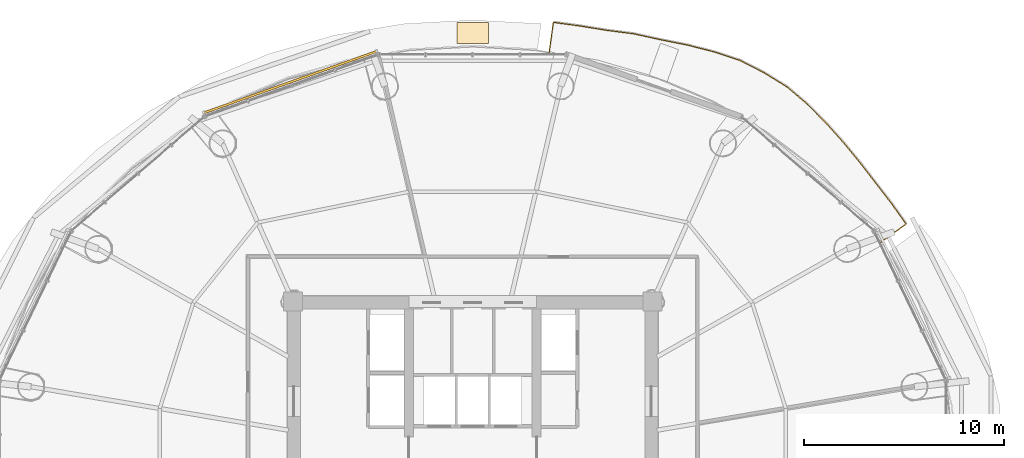
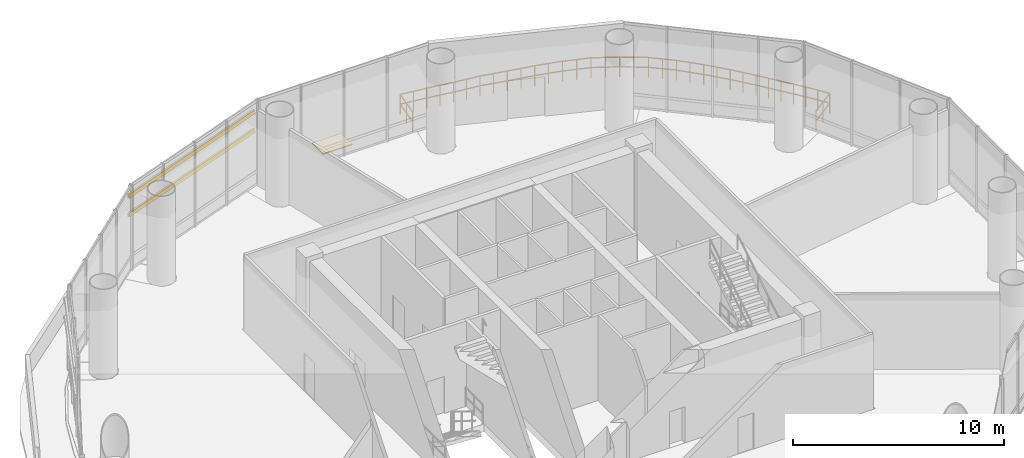
# One storey, part 29 of 29: 2 shading devices, 1 covering, 1 railing.
"""IFC4 building model written with IfcOpenShell, lengths in metres."""

from ifc_helpers import new_model, si_unit, direction, frame, origin, origin_2d, place, context, subcontext, project, spatial, rectangle, hollow_rectangle, extrude, source, transform, mapped, material, layer, layer_set, material_profile, profile_set, type_object, element, save


model = new_model("IFC4")

# Units and contexts
model_context = context("Model", 3, precision=1e-05, world=origin(), true_north=direction((-0.2419218956, 0.970295726276)))
body_context = subcontext(model_context, "Body", "Model", "MODEL_VIEW")
ifc_project = project(units=[si_unit("LENGTHUNIT", "METRE"), si_unit("AREAUNIT", "SQUARE_METRE"), si_unit("VOLUMEUNIT", "CUBIC_METRE"), si_unit("PLANEANGLEUNIT", "RADIAN"), si_unit("MASSUNIT", "GRAM", prefix="KILO")], contexts=[model_context])

# Site, building, storey
site_placement = place(None, origin())
site = spatial("IfcSite", under=ifc_project, at=site_placement, CompositionType="ELEMENT")
building_placement = place(site_placement, origin())
building = spatial("IfcBuilding", under=site, at=building_placement, Name="Cobrevalo Terracotta Tower", CompositionType="ELEMENT")
storey_placement = place(building_placement, frame((0.0, 0.0, 130.199951171875)))
storey = spatial("IfcBuildingStorey", under=building, at=storey_placement, Name="L34", CompositionType="ELEMENT", Elevation=130.199951171875)

# Railing
ifc_material_1 = material(Name="Laminated structural glass and stainless steel", Category="steel")
railing_type = type_object("IfcRailingType", Name="Balcony lobe structural glass & terracotta-cap balustrade 1180 mm", PredefinedType="BALUSTRADE", material=ifc_material_1)
railing_placement = place(storey_placement, frame((58.41650390625, 37.751708984375, 0.0)))
element("IfcRailing", 1, at=railing_placement, inside=storey, type_object=railing_type, Name="L34 spiralling balcony lobe balustrade 1", PredefinedType="BALUSTRADE", context=body_context, shape_type="SweptSolid", body=[
    extrude(rectangle(XDim=0.048095703125, YDim=0.048095703125, at=origin_2d()), frame((0.0, 0.0, 1.15576171875), z_axis=(0.809367380782, 0.587302684249, 0.0), x_axis=(-0.587302684249, 0.809367380782, 0.0)), (0.0, 0.0, 1.0), 1.587646484375),
    extrude(rectangle(XDim=0.048095703125, YDim=0.048095703125, at=origin_2d()), frame((0.0, 0.0, 0.58984375), z_axis=(0.809367380782, 0.587302684249, 0.0), x_axis=(-0.587302684249, 0.809367380782, 0.0)), (0.0, 0.0, 1.0), 1.587646484375),
    extrude(rectangle(XDim=0.048095703125, YDim=0.048095703125, at=origin_2d()), frame((1.284912109375, 0.932373046875, 1.15576171875), z_axis=(-0.578233321445, 0.815871451867, 0.0), x_axis=(-0.815871451867, -0.578233321445, 0.0)), (0.0, 0.0, 1.0), 1.25439453125),
    extrude(rectangle(XDim=0.048095703125, YDim=0.048095703125, at=origin_2d()), frame((1.284912109375, 0.932373046875, 0.58984375), z_axis=(-0.578233321445, 0.815871451867, 0.0), x_axis=(-0.815871451867, -0.578233321445, 0.0)), (0.0, 0.0, 1.0), 1.25439453125),
    extrude(rectangle(XDim=0.048095703125, YDim=0.048095703125, at=origin_2d()), frame((0.5595703125, 1.955810546875, 1.15576171875), z_axis=(-0.611359174352, 0.791353245988, 0.0), x_axis=(-0.791353245988, -0.611359174352, 0.0)), (0.0, 0.0, 1.0), 1.2587890625),
    extrude(rectangle(XDim=0.048095703125, YDim=0.048095703125, at=origin_2d()), frame((0.5595703125, 1.955810546875, 0.58984375), z_axis=(-0.611359174352, 0.791353245988, 0.0), x_axis=(-0.791353245988, -0.611359174352, 0.0)), (0.0, 0.0, 1.0), 1.2587890625),
    extrude(rectangle(XDim=0.048095703125, YDim=0.048095703125, at=origin_2d()), frame((-0.2099609375, 2.951904296875, 1.15576171875), z_axis=(-0.610040110347, 0.792370534389, 0.0), x_axis=(-0.792370534389, -0.610040110347, 0.0)), (0.0, 0.0, 1.0), 1.28955078125),
    extrude(rectangle(XDim=0.048095703125, YDim=0.048095703125, at=origin_2d()), frame((-0.2099609375, 2.951904296875, 0.58984375), z_axis=(-0.610040110347, 0.792370534389, 0.0), x_axis=(-0.792370534389, -0.610040110347, 0.0)), (0.0, 0.0, 1.0), 1.28955078125),
    extrude(rectangle(XDim=0.048095703125, YDim=0.048095703125, at=origin_2d()), frame((-0.99658203125, 3.9736328125, 1.15576171875), z_axis=(-0.634923621366, 0.772574912245, 0.0), x_axis=(-0.772574912245, -0.634923621366, 0.0)), (0.0, 0.0, 1.0), 1.300048828125),
    extrude(rectangle(XDim=0.048095703125, YDim=0.048095703125, at=origin_2d()), frame((-0.99658203125, 3.9736328125, 0.58984375), z_axis=(-0.634923621366, 0.772574912245, 0.0), x_axis=(-0.772574912245, -0.634923621366, 0.0)), (0.0, 0.0, 1.0), 1.300048828125),
    extrude(rectangle(XDim=0.048095703125, YDim=0.048095703125, at=origin_2d()), frame((-1.822021484375, 4.97802734375, 1.15576171875), z_axis=(-0.663895313827, 0.747825522617, 0.0), x_axis=(-0.747825522617, -0.663895313827, 0.0)), (0.0, 0.0, 1.0), 1.326416015625),
    extrude(rectangle(XDim=0.048095703125, YDim=0.048095703125, at=origin_2d()), frame((-1.822021484375, 4.97802734375, 0.58984375), z_axis=(-0.663895313827, 0.747825522617, 0.0), x_axis=(-0.747825522617, -0.663895313827, 0.0)), (0.0, 0.0, 1.0), 1.326416015625),
    extrude(rectangle(XDim=0.048095703125, YDim=0.048095703125, at=origin_2d()), frame((-2.70263671875, 5.969970703125, 1.15576171875), z_axis=(-0.703553776685, 0.710642021916, 0.0), x_axis=(-0.710642021916, -0.703553776685, 0.0)), (0.0, 0.0, 1.0), 1.34326171875),
    extrude(rectangle(XDim=0.048095703125, YDim=0.048095703125, at=origin_2d()), frame((-2.70263671875, 5.969970703125, 0.58984375), z_axis=(-0.703553776685, 0.710642021916, 0.0), x_axis=(-0.710642021916, -0.703553776685, 0.0)), (0.0, 0.0, 1.0), 1.34326171875),
    extrude(rectangle(XDim=0.048095703125, YDim=0.048095703125, at=origin_2d()), frame((-3.647705078125, 6.924560546875, 1.15576171875), z_axis=(-0.761514665944, 0.648147678814, 0.0), x_axis=(-0.648147678814, -0.761514665944, 0.0)), (0.0, 0.0, 1.0), 1.34814453125),
    extrude(rectangle(XDim=0.048095703125, YDim=0.048095703125, at=origin_2d()), frame((-3.647705078125, 6.924560546875, 0.58984375), z_axis=(-0.761514665944, 0.648147678814, 0.0), x_axis=(-0.648147678814, -0.761514665944, 0.0)), (0.0, 0.0, 1.0), 1.34814453125),
    extrude(rectangle(XDim=0.048095703125, YDim=0.048095703125, at=origin_2d()), frame((-4.67431640625, 7.79833984375, 1.15576171875), z_axis=(-0.851658316705, 0.524097425664, 0.0), x_axis=(-0.524097425664, -0.851658316705, 0.0)), (0.0, 0.0, 1.0), 1.360107421875),
    extrude(rectangle(XDim=0.048095703125, YDim=0.048095703125, at=origin_2d()), frame((-4.67431640625, 7.79833984375, 0.58984375), z_axis=(-0.851658316705, 0.524097425664, 0.0), x_axis=(-0.524097425664, -0.851658316705, 0.0)), (0.0, 0.0, 1.0), 1.360107421875),
    extrude(rectangle(XDim=0.048095703125, YDim=0.048095703125, at=origin_2d()), frame((-5.832763671875, 8.51123046875, 1.15576171875), z_axis=(-0.889813718969, 0.456323948018, 0.0), x_axis=(-0.456323948018, -0.889813718969, 0.0)), (0.0, 0.0, 1.0), 1.35791015625),
    extrude(rectangle(XDim=0.048095703125, YDim=0.048095703125, at=origin_2d()), frame((-5.832763671875, 8.51123046875, 0.58984375), z_axis=(-0.889813718969, 0.456323948018, 0.0), x_axis=(-0.456323948018, -0.889813718969, 0.0)), (0.0, 0.0, 1.0), 1.35791015625),
    extrude(rectangle(XDim=0.048095703125, YDim=0.048095703125, at=origin_2d()), frame((-7.041015625, 9.130859375, 1.15576171875), z_axis=(-0.950632133368, 0.310320071873, 0.0), x_axis=(-0.310320071873, -0.950632133368, 0.0)), (0.0, 0.0, 1.0), 1.377685546875),
    extrude(rectangle(XDim=0.048095703125, YDim=0.048095703125, at=origin_2d()), frame((-7.041015625, 9.130859375, 0.58984375), z_axis=(-0.950632133368, 0.310320071873, 0.0), x_axis=(-0.310320071873, -0.950632133368, 0.0)), (0.0, 0.0, 1.0), 1.377685546875),
    extrude(rectangle(XDim=0.048095703125, YDim=0.048095703125, at=origin_2d()), frame((-8.3505859375, 9.558349609375, 1.15576171875), z_axis=(-0.968673720881, 0.248336913233, 0.0), x_axis=(-0.248336913233, -0.968673720881, 0.0)), (0.0, 0.0, 1.0), 1.375244140625),
    extrude(rectangle(XDim=0.048095703125, YDim=0.048095703125, at=origin_2d()), frame((-8.3505859375, 9.558349609375, 0.58984375), z_axis=(-0.968673720881, 0.248336913233, 0.0), x_axis=(-0.248336913233, -0.968673720881, 0.0)), (0.0, 0.0, 1.0), 1.375244140625),
    extrude(rectangle(XDim=0.048095703125, YDim=0.048095703125, at=origin_2d()), frame((-9.682861328125, 9.89990234375, 1.15576171875), z_axis=(-0.981010254871, 0.193955870852, 0.0), x_axis=(-0.193955870852, -0.981010254871, 0.0)), (0.0, 0.0, 1.0), 1.36962890625),
    extrude(rectangle(XDim=0.048095703125, YDim=0.048095703125, at=origin_2d()), frame((-9.682861328125, 9.89990234375, 0.58984375), z_axis=(-0.981010254871, 0.193955870852, 0.0), x_axis=(-0.193955870852, -0.981010254871, 0.0)), (0.0, 0.0, 1.0), 1.36962890625),
    extrude(rectangle(XDim=0.048095703125, YDim=0.048095703125, at=origin_2d()), frame((-11.0263671875, 10.16552734375, 1.15576171875), z_axis=(-0.976460501717, 0.215696287838, 0.0), x_axis=(-0.215696287838, -0.976460501717, 0.0)), (0.0, 0.0, 1.0), 1.361572265625),
    extrude(rectangle(XDim=0.048095703125, YDim=0.048095703125, at=origin_2d()), frame((-11.0263671875, 10.16552734375, 0.58984375), z_axis=(-0.976460501717, 0.215696287838, 0.0), x_axis=(-0.215696287838, -0.976460501717, 0.0)), (0.0, 0.0, 1.0), 1.361572265625),
    extrude(rectangle(XDim=0.048095703125, YDim=0.048095703125, at=origin_2d()), frame((-12.35595703125, 10.459228515625, 1.15576171875), z_axis=(-0.99183804653, 0.127504076233, 0.0), x_axis=(-0.127504076233, -0.99183804653, 0.0)), (0.0, 0.0, 1.0), 1.359375),
    extrude(rectangle(XDim=0.048095703125, YDim=0.048095703125, at=origin_2d()), frame((-12.35595703125, 10.459228515625, 0.58984375), z_axis=(-0.99183804653, 0.127504076233, 0.0), x_axis=(-0.127504076233, -0.99183804653, 0.0)), (0.0, 0.0, 1.0), 1.359375),
    extrude(rectangle(XDim=0.048095703125, YDim=0.048095703125, at=origin_2d()), frame((-13.704345703125, 10.632568359375, 1.15576171875), z_axis=(-0.987063083074, 0.160332373626, 0.0), x_axis=(-0.160332373626, -0.987063083074, 0.0)), (0.0, 0.0, 1.0), 1.353759765625),
    extrude(rectangle(XDim=0.048095703125, YDim=0.048095703125, at=origin_2d()), frame((-13.704345703125, 10.632568359375, 0.58984375), z_axis=(-0.987063083074, 0.160332373626, 0.0), x_axis=(-0.160332373626, -0.987063083074, 0.0)), (0.0, 0.0, 1.0), 1.353759765625),
    extrude(rectangle(XDim=0.048095703125, YDim=0.048095703125, at=origin_2d()), frame((-15.04052734375, 10.849609375, 1.15576171875), z_axis=(-0.990945115843, 0.134267558949, 0.0), x_axis=(-0.134267558949, -0.990945115843, 0.0)), (0.0, 0.0, 1.0), 1.352783203125),
    extrude(rectangle(XDim=0.048095703125, YDim=0.048095703125, at=origin_2d()), frame((-15.04052734375, 10.849609375, 0.58984375), z_axis=(-0.990945115843, 0.134267558949, 0.0), x_axis=(-0.134267558949, -0.990945115843, 0.0)), (0.0, 0.0, 1.0), 1.352783203125),
    extrude(rectangle(XDim=0.048095703125, YDim=0.048095703125, at=origin_2d()), frame((-16.381103515625, 11.03125, 1.15576171875), z_axis=(-0.136898821021, -0.990585035624, 0.0), x_axis=(0.990585035624, -0.136898821021, 0.0)), (0.0, 0.0, 1.0), 1.580078125),
    extrude(rectangle(XDim=0.048095703125, YDim=0.048095703125, at=origin_2d()), frame((-16.381103515625, 11.03125, 0.58984375), z_axis=(-0.136898821021, -0.990585035624, 0.0), x_axis=(0.990585035624, -0.136898821021, 0.0)), (0.0, 0.0, 1.0), 1.580078125),
    extrude(rectangle(XDim=0.0419921875, YDim=0.0419921875, at=origin_2d()), origin(), (0.0, 0.0, 1.0), 1.1318359375),
    extrude(rectangle(XDim=0.0419921875, YDim=0.0419921875, at=origin_2d()), frame((0.642578125, 0.46630859375, 0.0)), (0.0, 0.0, 1.0), 1.1318359375),
    extrude(rectangle(XDim=0.0419921875, YDim=0.0419921875, at=origin_2d()), frame((1.284912109375, 0.932373046875, 0.0)), (0.0, 0.0, 1.0), 1.1318359375),
    extrude(rectangle(XDim=0.0419921875, YDim=0.0419921875, at=origin_2d()), frame((0.92236328125, 1.444091796875, 0.0)), (0.0, 0.0, 1.0), 1.1318359375),
    extrude(rectangle(XDim=0.0419921875, YDim=0.0419921875, at=origin_2d()), frame((0.5595703125, 1.955810546875, 0.0)), (0.0, 0.0, 1.0), 1.1318359375),
    extrude(rectangle(XDim=0.0419921875, YDim=0.0419921875, at=origin_2d()), frame((0.1748046875, 2.453857421875, 0.0)), (0.0, 0.0, 1.0), 1.1318359375),
    extrude(rectangle(XDim=0.0419921875, YDim=0.0419921875, at=origin_2d()), frame((-0.2099609375, 2.951904296875, 0.0)), (0.0, 0.0, 1.0), 1.1318359375),
    extrude(rectangle(XDim=0.0419921875, YDim=0.0419921875, at=origin_2d()), frame((-0.603271484375, 3.462890625, 0.0)), (0.0, 0.0, 1.0), 1.1318359375),
    extrude(rectangle(XDim=0.0419921875, YDim=0.0419921875, at=origin_2d()), frame((-0.99658203125, 3.9736328125, 0.0)), (0.0, 0.0, 1.0), 1.1318359375),
    extrude(rectangle(XDim=0.0419921875, YDim=0.0419921875, at=origin_2d()), frame((-1.4091796875, 4.475830078125, 0.0)), (0.0, 0.0, 1.0), 1.1318359375),
    extrude(rectangle(XDim=0.0419921875, YDim=0.0419921875, at=origin_2d()), frame((-1.822021484375, 4.97802734375, 0.0)), (0.0, 0.0, 1.0), 1.1318359375),
    extrude(rectangle(XDim=0.0419921875, YDim=0.0419921875, at=origin_2d()), frame((-2.26220703125, 5.47412109375, 0.0)), (0.0, 0.0, 1.0), 1.1318359375),
    extrude(rectangle(XDim=0.0419921875, YDim=0.0419921875, at=origin_2d()), frame((-2.70263671875, 5.969970703125, 0.0)), (0.0, 0.0, 1.0), 1.1318359375),
    extrude(rectangle(XDim=0.0419921875, YDim=0.0419921875, at=origin_2d()), frame((-3.17529296875, 6.447265625, 0.0)), (0.0, 0.0, 1.0), 1.1318359375),
    extrude(rectangle(XDim=0.0419921875, YDim=0.0419921875, at=origin_2d()), frame((-3.647705078125, 6.924560546875, 0.0)), (0.0, 0.0, 1.0), 1.1318359375),
    extrude(rectangle(XDim=0.0419921875, YDim=0.0419921875, at=origin_2d()), frame((-4.1611328125, 7.361328125, 0.0)), (0.0, 0.0, 1.0), 1.1318359375),
    extrude(rectangle(XDim=0.0419921875, YDim=0.0419921875, at=origin_2d()), frame((-4.67431640625, 7.79833984375, 0.0)), (0.0, 0.0, 1.0), 1.1318359375),
    extrude(rectangle(XDim=0.0419921875, YDim=0.0419921875, at=origin_2d()), frame((-5.25341796875, 8.15478515625, 0.0)), (0.0, 0.0, 1.0), 1.1318359375),
    extrude(rectangle(XDim=0.0419921875, YDim=0.0419921875, at=origin_2d()), frame((-5.832763671875, 8.51123046875, 0.0)), (0.0, 0.0, 1.0), 1.1318359375),
    extrude(rectangle(XDim=0.0419921875, YDim=0.0419921875, at=origin_2d()), frame((-6.43701171875, 8.821044921875, 0.0)), (0.0, 0.0, 1.0), 1.1318359375),
    extrude(rectangle(XDim=0.0419921875, YDim=0.0419921875, at=origin_2d()), frame((-7.041015625, 9.130859375, 0.0)), (0.0, 0.0, 1.0), 1.1318359375),
    extrude(rectangle(XDim=0.0419921875, YDim=0.0419921875, at=origin_2d()), frame((-7.69580078125, 9.3447265625, 0.0)), (0.0, 0.0, 1.0), 1.1318359375),
    extrude(rectangle(XDim=0.0419921875, YDim=0.0419921875, at=origin_2d()), frame((-8.3505859375, 9.558349609375, 0.0)), (0.0, 0.0, 1.0), 1.1318359375),
    extrude(rectangle(XDim=0.0419921875, YDim=0.0419921875, at=origin_2d()), frame((-9.0166015625, 9.72900390625, 0.0)), (0.0, 0.0, 1.0), 1.1318359375),
    extrude(rectangle(XDim=0.0419921875, YDim=0.0419921875, at=origin_2d()), frame((-9.682861328125, 9.89990234375, 0.0)), (0.0, 0.0, 1.0), 1.1318359375),
    extrude(rectangle(XDim=0.0419921875, YDim=0.0419921875, at=origin_2d()), frame((-10.3544921875, 10.03271484375, 0.0)), (0.0, 0.0, 1.0), 1.1318359375),
    extrude(rectangle(XDim=0.0419921875, YDim=0.0419921875, at=origin_2d()), frame((-11.0263671875, 10.16552734375, 0.0)), (0.0, 0.0, 1.0), 1.1318359375),
    extrude(rectangle(XDim=0.0419921875, YDim=0.0419921875, at=origin_2d()), frame((-11.691162109375, 10.3125, 0.0)), (0.0, 0.0, 1.0), 1.1318359375),
    extrude(rectangle(XDim=0.0419921875, YDim=0.0419921875, at=origin_2d()), frame((-12.35595703125, 10.459228515625, 0.0)), (0.0, 0.0, 1.0), 1.1318359375),
    extrude(rectangle(XDim=0.0419921875, YDim=0.0419921875, at=origin_2d()), frame((-13.0302734375, 10.5458984375, 0.0)), (0.0, 0.0, 1.0), 1.1318359375),
    extrude(rectangle(XDim=0.0419921875, YDim=0.0419921875, at=origin_2d()), frame((-13.704345703125, 10.632568359375, 0.0)), (0.0, 0.0, 1.0), 1.1318359375),
    extrude(rectangle(XDim=0.0419921875, YDim=0.0419921875, at=origin_2d()), frame((-14.37255859375, 10.7412109375, 0.0)), (0.0, 0.0, 1.0), 1.1318359375),
    extrude(rectangle(XDim=0.0419921875, YDim=0.0419921875, at=origin_2d()), frame((-15.04052734375, 10.849609375, 0.0)), (0.0, 0.0, 1.0), 1.1318359375),
    extrude(rectangle(XDim=0.0419921875, YDim=0.0419921875, at=origin_2d()), frame((-15.7109375, 10.9404296875, 0.0)), (0.0, 0.0, 1.0), 1.1318359375),
    extrude(rectangle(XDim=0.0419921875, YDim=0.0419921875, at=origin_2d()), frame((-16.381103515625, 11.03125, 0.0)), (0.0, 0.0, 1.0), 1.1318359375),
    extrude(rectangle(XDim=0.0419921875, YDim=0.0419921875, at=origin_2d()), frame((-16.4892578125, 10.24853515625, 0.0)), (0.0, 0.0, 1.0), 1.1318359375),
    extrude(rectangle(XDim=0.0419921875, YDim=0.0419921875, at=origin_2d()), frame((-16.597412109375, 9.466064453125, 0.0)), (0.0, 0.0, 1.0), 1.1318359375),
])

# Shading devices
ifc_material_2 = material(Name="Extruded fired architectural terracotta", Category="masonry")
ifc_material_profile = material_profile(ifc_material_2, hollow_rectangle(XDim=0.110107421875, YDim=0.239990234375, WallThickness=0.01806640625, at=origin_2d()), Name="BAGUETTE 110x240")
ifc_profile_set = profile_set([ifc_material_profile], Name="Extruded fired architectural terracotta")
shading_device_type = type_object("IfcShadingDeviceType", Name="Horizontal Terracotta Baguette Screen 110x240", PredefinedType="USERDEFINED", material=ifc_profile_set)
shared_shape_1 = source(origin(), body_context, "Body", "SweptSolid", [
    extrude(hollow_rectangle(XDim=0.110107421875, YDim=0.239990234375, WallThickness=0.01806640625, at=origin_2d()), origin(), (0.0, 0.0, 1.0), 9.168212890625),
])
for number, where, z_axis, x_axis, name in (
    (2, (33.1865234375, 47.3271484375, 3.056640625), (-0.942098639375, -0.335335881897, 0.0), (0.335335881897, -0.942098639375, 0.0), "CW-SK-L34-S05 horizontal terracotta baguette 1"),
    (3, (33.1865234375, 47.3271484375, 4.141357421875), (-0.942098639375, -0.335335881897, 0.0), (0.335335881897, -0.942098639375, 0.0), "CW-SK-L34-S05 horizontal terracotta baguette 2"),
):
    element("IfcShadingDevice", number, at=place(storey_placement, frame(where, z_axis=z_axis, x_axis=x_axis)), inside=storey, type_object=shading_device_type, Name=name, ObjectType="BAGUETTE", PredefinedType="USERDEFINED", context=body_context, shape_type="MappedRepresentation", body=[
        mapped(shared_shape_1, transform((0.0, 0.0, 0.0), scale=1.0)),
    ])

# Covering
ifc_material_3 = material(Name="Insulated TPO roof waterproofing membrane", Category="bitumen")
ifc_layer = layer(ifc_material_3, 0.06005859375)
ifc_layer_set = layer_set([ifc_layer], Name="Insulated TPO roof waterproofing membrane")
covering_type = type_object("IfcCoveringType", Name="Insulated UV-reflective waterproof roof membrane 60 mm", PredefinedType="ROOFING", material=ifc_layer_set)
shared_shape_2 = source(origin(), body_context, "Body", "SweptSolid", [
    extrude(rectangle(XDim=1.60009765625, YDim=1.050048828125, at=origin_2d()), origin(), (0.0, 0.0, 1.0), 0.06005859375),
])
covering_placement = place(storey_placement, frame((38.0, 48.25, 0.0), z_axis=(0.0, 0.0, 1.0), x_axis=(1.0, 0.0, 0.0)))
element("IfcCovering", 4, at=covering_placement, inside=storey, type_object=covering_type, Name="L34 setback waterproof roof membrane", PredefinedType="ROOFING", context=body_context, shape_type="MappedRepresentation", body=[
    mapped(shared_shape_2, transform((0.0, 0.0, 0.0), scale=1.0)),
])

save(model, "model.ifc")
